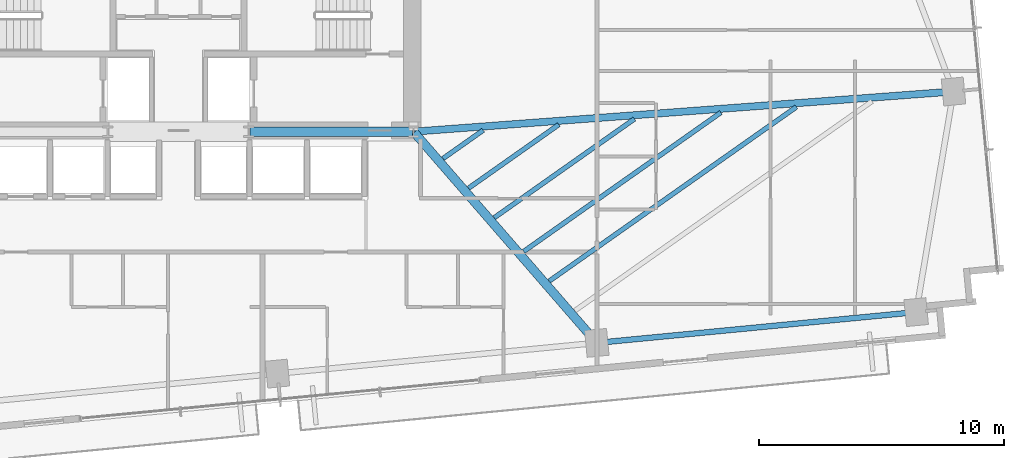
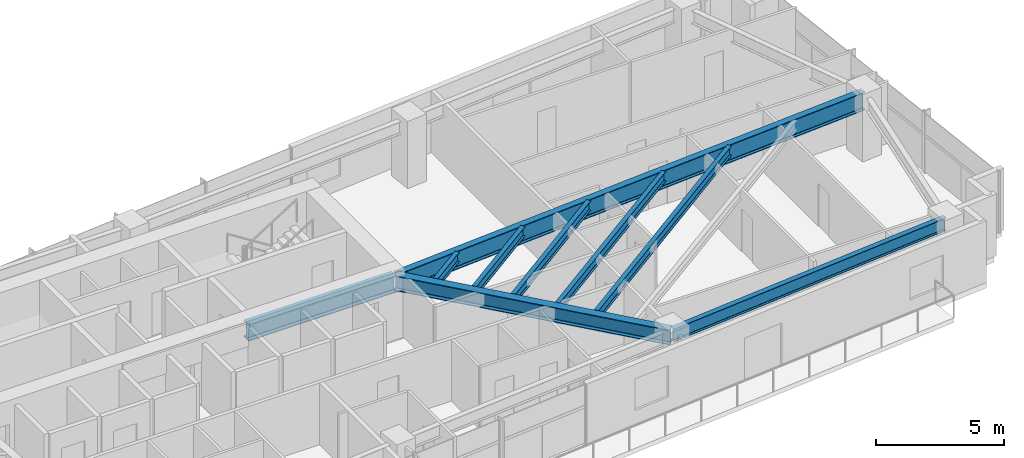
# One storey, part 13 of 27: 9 beams.
"""IFC4 building model written with IfcOpenShell, lengths in metres."""

from ifc_helpers import new_model, si_unit, direction, frame, origin, origin_2d, place, context, subcontext, project, spatial, i_section, extrude, source, transform, mapped, material, material_profile, profile_set, type_object, type_shapes, element, save


model = new_model("IFC4")

# Units and contexts
model_context = context("Model", 3, precision=1e-05, world=origin(), true_north=direction((0.0, 1.0)))
body_context = subcontext(model_context, "Body", "Model", "MODEL_VIEW")
ifc_project = project(units=[si_unit("LENGTHUNIT", "METRE"), si_unit("AREAUNIT", "SQUARE_METRE"), si_unit("VOLUMEUNIT", "CUBIC_METRE"), si_unit("PLANEANGLEUNIT", "RADIAN"), si_unit("MASSUNIT", "GRAM", prefix="KILO")], contexts=[model_context])

# Site, building, storey
site_placement = place(None, origin())
site = spatial("IfcSite", under=ifc_project, at=site_placement, CompositionType="ELEMENT")
building_placement = place(site_placement, origin())
building = spatial("IfcBuilding", under=site, at=building_placement, Name="Astriad Promenade Condominiums", CompositionType="ELEMENT")
storey_placement = place(building_placement, frame((0.0, 0.0, 84.199951171875)))
storey = spatial("IfcBuildingStorey", under=building, at=storey_placement, Name="L23", CompositionType="ELEMENT", Elevation=84.199951171875)

# Beams
ifc_material = material(Name="Steel ASTM A992 Grade 50", Category="steel")
ifc_material_profile_1 = material_profile(ifc_material, i_section(OverallWidth=0.3837890625, OverallDepth=0.785888671875, WebThickness=0.019775390625, FlangeThickness=0.033447265625, FilletRadius=0.021484375, at=origin_2d()), Name="W30X211")
ifc_profile_set_1 = profile_set([ifc_material_profile_1], Name="Steel ASTM A992 Grade 50")
beam_type_1 = type_object("IfcBeamType", Name="STEEL FLOOR GIRDER W30X211", PredefinedType="BEAM", material=ifc_profile_set_1)
shared_shape_1 = source(origin(), body_context, "Body", "SweptSolid", [
    extrude(i_section(OverallWidth=0.3837890625, OverallDepth=0.785888671875, WebThickness=0.019775390625, FlangeThickness=0.033447265625, FilletRadius=0.021484375, at=origin_2d()), origin(), (0.0, 0.0, 1.0), 6.64013671875),
])
type_shapes(beam_type_1, [shared_shape_1])
beam_1_placement = place(storey_placement, frame((38.919921875, 17.39990234375, 2.547119140625), z_axis=(1.0, 0.0, 0.0), x_axis=(0.0, 1.0, 0.0)))
element("IfcBeam", 1, at=beam_1_placement, inside=storey, type_object=beam_type_1, Name="Core Ring Beam CG-S3-L23", PredefinedType="BEAM", context=body_context, shape_type="MappedRepresentation", body=[
    mapped(shared_shape_1, transform((0.0, 0.0, 0.0), scale=1.0)),
])
ifc_material_profile_2 = material_profile(ifc_material, i_section(OverallWidth=0.22900390625, OverallDepth=0.612060546875, WebThickness=0.011962890625, FlangeThickness=0.01953125, FilletRadius=0.017822265625, at=origin_2d()), Name="W24X84")
ifc_profile_set_2 = profile_set([ifc_material_profile_2], Name="Steel ASTM A992 Grade 50")
beam_type_2 = type_object("IfcBeamType", Name="STEEL SPANDREL BEAM W24X84", PredefinedType="SPANDREL", material=ifc_profile_set_2)
shared_shape_2 = source(origin(), body_context, "Body", "SweptSolid", [
    extrude(i_section(OverallWidth=0.22900390625, OverallDepth=0.612060546875, WebThickness=0.011962890625, FlangeThickness=0.01953125, FilletRadius=0.017822265625, at=origin_2d()), origin(), (0.0, 0.0, 1.0), 13.020263671875),
])
type_shapes(beam_type_2, [shared_shape_2])
beam_2_placement = place(storey_placement, frame((53.124755859375, 8.780029296875, 2.634033203125), z_axis=(0.995395311238, 0.095854965264, 0.0), x_axis=(-0.095854965264, 0.995395311238, 0.0)))
element("IfcBeam", 2, at=beam_2_placement, inside=storey, type_object=beam_type_2, Name="Perimeter Spandrel Beam SP-S4-L23", PredefinedType="SPANDREL", context=body_context, shape_type="MappedRepresentation", body=[
    mapped(shared_shape_2, transform((0.0, 0.0, 0.0), scale=1.0)),
])
ifc_material_profile_3 = material_profile(ifc_material, i_section(OverallWidth=0.35791015625, OverallDepth=0.706298828125, WebThickness=0.018310546875, FlangeThickness=0.0302734375, FilletRadius=0.020263671875, at=origin_2d()), Name="W27X178")
ifc_profile_set_3 = profile_set([ifc_material_profile_3], Name="Steel ASTM A992 Grade 50")
beam_type_3 = type_object("IfcBeamType", Name="STEEL FLOOR GIRDER W27X178", PredefinedType="BEAM", material=ifc_profile_set_3)
shared_shape_3 = source(origin(), body_context, "Body", "SweptSolid", [
    extrude(i_section(OverallWidth=0.35791015625, OverallDepth=0.706298828125, WebThickness=0.018310546875, FlangeThickness=0.0302734375, FilletRadius=0.020263671875, at=origin_2d()), origin(), (0.0, 0.0, 1.0), 11.339111328125),
])
type_shapes(beam_type_3, [shared_shape_3])
beam_3_placement = place(storey_placement, frame((53.058837890625, 8.806396484375, 2.5869140625), z_axis=(-0.65548120109, 0.755211490258, 0.0), x_axis=(-0.755211490258, -0.65548120109, 0.0)))
element("IfcBeam", 3, at=beam_3_placement, inside=storey, type_object=beam_type_3, Name="Primary Floor Girder PG-E2-L23", PredefinedType="BEAM", context=body_context, shape_type="MappedRepresentation", body=[
    mapped(shared_shape_3, transform((0.0, 0.0, 0.0), scale=1.0)),
])
ifc_material_profile_4 = material_profile(ifc_material, i_section(OverallWidth=0.2919921875, OverallDepth=0.85888671875, WebThickness=0.01708984375, FlangeThickness=0.031005859375, FilletRadius=0.02294921875, at=origin_2d()), Name="W33X169")
ifc_profile_set_4 = profile_set([ifc_material_profile_4], Name="Steel ASTM A992 Grade 50")
beam_type_4 = type_object("IfcBeamType", Name="STEEL PRIMARY GIRDER W33X169", PredefinedType="BEAM", material=ifc_profile_set_4)
shared_shape_4 = source(origin(), body_context, "Body", "SweptSolid", [
    extrude(i_section(OverallWidth=0.2919921875, OverallDepth=0.85888671875, WebThickness=0.01708984375, FlangeThickness=0.031005859375, FilletRadius=0.02294921875, at=origin_2d()), origin(), (0.0, 0.0, 1.0), 22.029052734375),
])
type_shapes(beam_type_4, [shared_shape_4])
beam_4_placement = place(storey_placement, frame((67.6083984375, 19.036376953125, 2.510498046875), z_axis=(-0.99724763887, -0.074142745897, 0.0), x_axis=(0.074142745897, -0.99724763887, 0.0)))
element("IfcBeam", 4, at=beam_4_placement, inside=storey, type_object=beam_type_4, Name="Primary Floor Girder PG-EM-L23", PredefinedType="BEAM", context=body_context, shape_type="MappedRepresentation", body=[
    mapped(shared_shape_4, transform((0.0, 0.0, 0.0), scale=1.0)),
])
ifc_material_profile_5 = material_profile(ifc_material, i_section(OverallWidth=0.19287109375, OverallDepth=0.466064453125, WebThickness=0.011474609375, FlangeThickness=0.01904296875, FilletRadius=0.01513671875, at=origin_2d()), Name="W18X65")
ifc_profile_set_5 = profile_set([ifc_material_profile_5], Name="Steel ASTM A992 Grade 50")
beam_type_5 = type_object("IfcBeamType", Name="STEEL FLOOR JOIST W18X65", PredefinedType="JOIST", material=ifc_profile_set_5)
shared_shape_5 = source(origin(), body_context, "Body", "SweptSolid", [
    extrude(i_section(OverallWidth=0.19287109375, OverallDepth=0.466064453125, WebThickness=0.011474609375, FlangeThickness=0.01904296875, FilletRadius=0.01513671875, at=origin_2d()), origin(), (0.0, 0.0, 1.0), 12.34375),
])
beam_5_placement = place(storey_placement, frame((51.144287109375, 11.30029296875, 2.70703125), z_axis=(0.817418723738, 0.576043948048, 0.0), x_axis=(-0.576043948048, 0.817418723738, 0.0)))
element("IfcBeam", 5, at=beam_5_placement, inside=storey, type_object=beam_type_5, Name="Secondary Composite Floor Joist JE1-2-L23", PredefinedType="JOIST", context=body_context, shape_type="MappedRepresentation", body=[
    mapped(shared_shape_5, transform((0.0, 0.0, 0.0), scale=1.0)),
])
shared_shape_6 = source(origin(), body_context, "Body", "SweptSolid", [
    extrude(i_section(OverallWidth=0.19287109375, OverallDepth=0.466064453125, WebThickness=0.011474609375, FlangeThickness=0.01904296875, FilletRadius=0.01513671875, at=origin_2d()), origin(), (0.0, 0.0, 1.0), 9.849609375),
])
beam_6_placement = place(storey_placement, frame((50.096435546875, 12.507568359375, 2.70703125), z_axis=(0.817418240833, 0.5760446333, 0.0), x_axis=(-0.5760446333, 0.817418240833, 0.0)))
element("IfcBeam", 6, at=beam_6_placement, inside=storey, type_object=beam_type_5, Name="Secondary Composite Floor Joist JE1-3-L23", PredefinedType="JOIST", context=body_context, shape_type="MappedRepresentation", body=[
    mapped(shared_shape_6, transform((0.0, 0.0, 0.0), scale=1.0)),
])
shared_shape_7 = source(origin(), body_context, "Body", "SweptSolid", [
    extrude(i_section(OverallWidth=0.19287109375, OverallDepth=0.466064453125, WebThickness=0.011474609375, FlangeThickness=0.01904296875, FilletRadius=0.01513671875, at=origin_2d()), origin(), (0.0, 0.0, 1.0), 6.9990234375),
])
beam_7_placement = place(storey_placement, frame((48.898681640625, 13.88720703125, 2.70703125), z_axis=(0.81742196028, 0.576039355298, 0.0), x_axis=(-0.576039355298, 0.81742196028, 0.0)))
element("IfcBeam", 7, at=beam_7_placement, inside=storey, type_object=beam_type_5, Name="Secondary Composite Floor Joist JE1-4-L23", PredefinedType="JOIST", context=body_context, shape_type="MappedRepresentation", body=[
    mapped(shared_shape_7, transform((0.0, 0.0, 0.0), scale=1.0)),
])
shared_shape_8 = source(origin(), body_context, "Body", "SweptSolid", [
    extrude(i_section(OverallWidth=0.19287109375, OverallDepth=0.466064453125, WebThickness=0.011474609375, FlangeThickness=0.01904296875, FilletRadius=0.01513671875, at=origin_2d()), origin(), (0.0, 0.0, 1.0), 4.504638671875),
])
beam_8_placement = place(storey_placement, frame((47.850830078125, 15.0947265625, 2.70703125), z_axis=(0.817448215019, 0.576002097012, 0.0), x_axis=(-0.576002097012, 0.817448215019, 0.0)))
element("IfcBeam", 8, at=beam_8_placement, inside=storey, type_object=beam_type_5, Name="Secondary Composite Floor Joist JE1-5-L23", PredefinedType="JOIST", context=body_context, shape_type="MappedRepresentation", body=[
    mapped(shared_shape_8, transform((0.0, 0.0, 0.0), scale=1.0)),
])
shared_shape_9 = source(origin(), body_context, "Body", "SweptSolid", [
    extrude(i_section(OverallWidth=0.19287109375, OverallDepth=0.466064453125, WebThickness=0.011474609375, FlangeThickness=0.01904296875, FilletRadius=0.01513671875, at=origin_2d()), origin(), (0.0, 0.0, 1.0), 2.01025390625),
])
type_shapes(beam_type_5, [shared_shape_5, shared_shape_6, shared_shape_7, shared_shape_8, shared_shape_9])
beam_9_placement = place(storey_placement, frame((46.802978515625, 16.302001953125, 2.70703125), z_axis=(0.8174421453, 0.576010710913, 0.0), x_axis=(-0.576010710913, 0.8174421453, 0.0)))
element("IfcBeam", 9, at=beam_9_placement, inside=storey, type_object=beam_type_5, Name="Secondary Composite Floor Joist JE1-6-L23", PredefinedType="JOIST", context=body_context, shape_type="MappedRepresentation", body=[
    mapped(shared_shape_9, transform((0.0, 0.0, 0.0), scale=1.0)),
])

save(model, "model.ifc")
